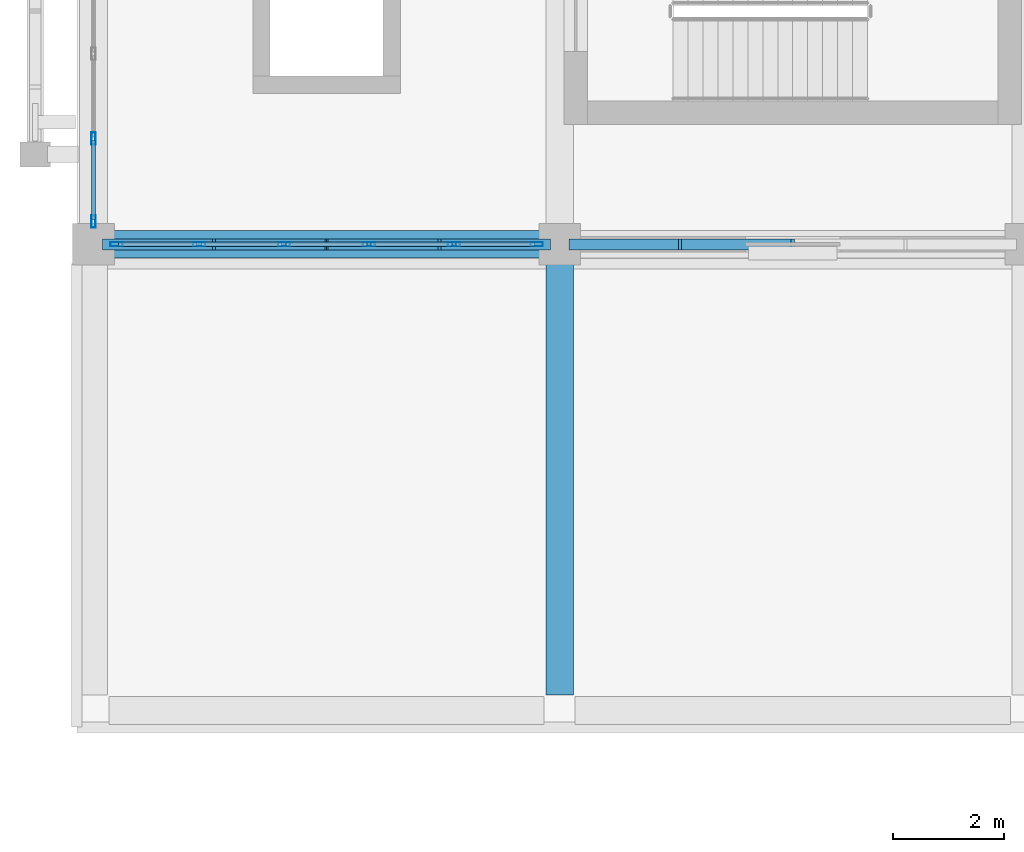
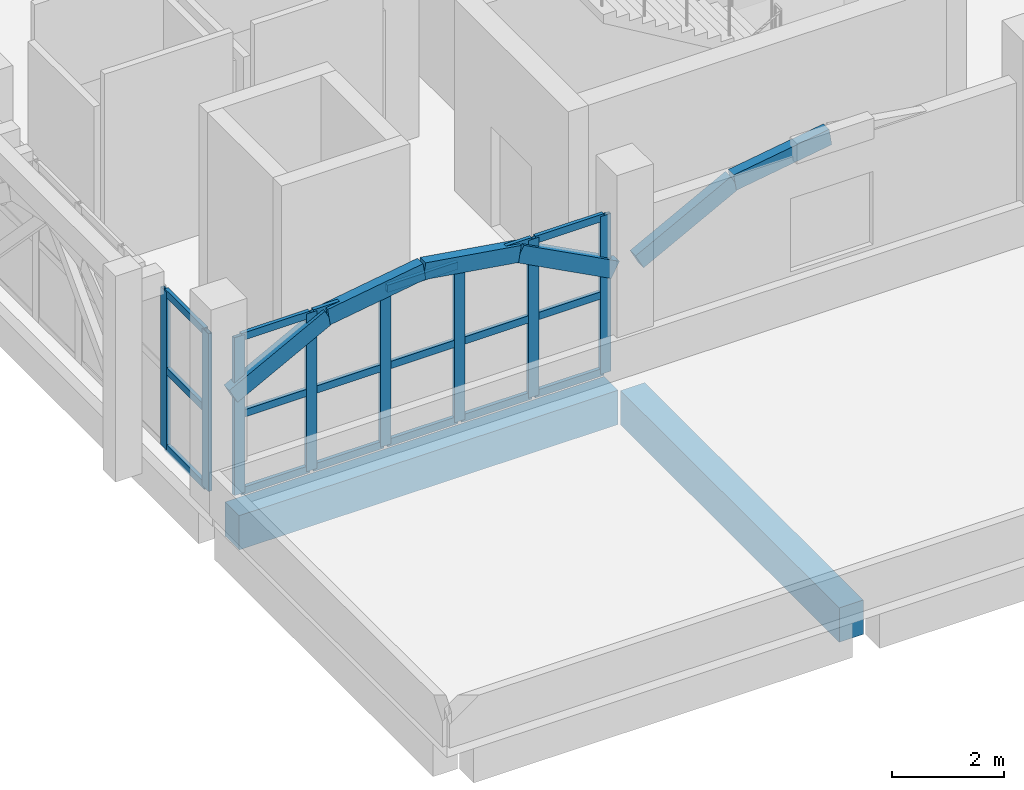
# One storey, part 2 of 30: 32 members, 2 beams, 2 elements without a shape of their own.
"""IFC4 building model written with IfcOpenShell, lengths in metres."""

from ifc_helpers import new_model, si_unit, direction, frame, origin, origin_2d, place, context, subcontext, project, spatial, rectangle, hollow_rectangle, extrude, material, layer, layer_set, material_profile, profile_set, type_object, element, aggregate, save


model = new_model("IFC4")

# Units and contexts
model_context = context("Model", 3, precision=1e-05, world=origin(), true_north=direction((0.0, 1.0)))
body_context = subcontext(model_context, "Body", "Model", "MODEL_VIEW")
ifc_project = project(units=[si_unit("LENGTHUNIT", "METRE"), si_unit("AREAUNIT", "SQUARE_METRE"), si_unit("VOLUMEUNIT", "CUBIC_METRE"), si_unit("PLANEANGLEUNIT", "RADIAN"), si_unit("MASSUNIT", "GRAM", prefix="KILO")], contexts=[model_context])

# Site, building, storey
site_placement = place(None, origin())
site = spatial("IfcSite", under=ifc_project, at=site_placement, CompositionType="ELEMENT")
building_placement = place(site_placement, origin())
building = spatial("IfcBuilding", under=site, at=building_placement, Name="Xazarin Passage Department Store", CompositionType="ELEMENT")
storey_placement = place(building_placement, frame((0.0, 0.0, 23.39990234375)))
storey = spatial("IfcBuildingStorey", under=building, at=storey_placement, Name="L05", CompositionType="ELEMENT", Elevation=23.39990234375)

# Curtain wall, members
ifc_material_1 = material(Name="Bronze anodised aluminium", Category="aluminium")
ifc_layer = layer(ifc_material_1, 0.199951171875)
ifc_layer_set = layer_set([ifc_layer], Name="Bronze anodised aluminium")
curtain_wall_type = type_object("IfcCurtainWallType", Name="ARC-CW-VIT2", PredefinedType="NOTDEFINED", material=ifc_layer_set)
curtain_wall_1_placement = place(storey_placement, origin())
curtain_wall_1 = element("IfcCurtainWall", 1, at=curtain_wall_1_placement, inside=storey, type_object=curtain_wall_type, Name="L05 V1 Curtain Wall 076", PredefinedType="NOTDEFINED")
ifc_material_profile_1 = material_profile(ifc_material_1, hollow_rectangle(XDim=0.074951171875, YDim=0.219970703125, WallThickness=0.0048828125, at=origin_2d()), Name="ALU 75x220")
ifc_profile_set_1 = profile_set([ifc_material_profile_1], Name="Bronze anodised aluminium")
member_type_1 = type_object("IfcMemberType", Name="ARC-CWM-75x220", PredefinedType="MULLION", material=ifc_profile_set_1)
member_1_placement = place(storey_placement, frame((0.41259765625, 76.39990234375, 0.0), z_axis=(0.0, 0.0, 1.0), x_axis=(0.0, 1.0, 0.0)))
member_1 = element("IfcMember", 2, at=member_1_placement, type_object=member_type_1, Name="CW2 mullion 1", PredefinedType="MULLION", context=body_context, shape_type="SweptSolid", body=[
    extrude(hollow_rectangle(XDim=0.074951171875, YDim=0.219970703125, WallThickness=0.0048828125, at=origin_2d()), origin(), (0.0, 0.0, 1.0), 3.4501953125),
])
member_2_placement = place(storey_placement, frame((1.905029296875, 76.39990234375, 0.0), z_axis=(0.0, 0.0, 1.0), x_axis=(0.0, 1.0, 0.0)))
member_2 = element("IfcMember", 3, at=member_2_placement, type_object=member_type_1, Name="CW2 mullion 2", PredefinedType="MULLION", context=body_context, shape_type="SweptSolid", body=[
    extrude(hollow_rectangle(XDim=0.074951171875, YDim=0.219970703125, WallThickness=0.0048828125, at=origin_2d()), origin(), (0.0, 0.0, 1.0), 3.4501953125),
])
member_3_placement = place(storey_placement, frame((3.43505859375, 76.39990234375, 0.0), z_axis=(0.0, 0.0, 1.0), x_axis=(0.0, 1.0, 0.0)))
member_3 = element("IfcMember", 4, at=member_3_placement, type_object=member_type_1, Name="CW2 mullion 3", PredefinedType="MULLION", context=body_context, shape_type="SweptSolid", body=[
    extrude(hollow_rectangle(XDim=0.074951171875, YDim=0.219970703125, WallThickness=0.0048828125, at=origin_2d()), origin(), (0.0, 0.0, 1.0), 3.4501953125),
])
member_4_placement = place(storey_placement, frame((4.965087890625, 76.39990234375, 0.0), z_axis=(0.0, 0.0, 1.0), x_axis=(0.0, 1.0, 0.0)))
member_4 = element("IfcMember", 5, at=member_4_placement, type_object=member_type_1, Name="CW2 mullion 4", PredefinedType="MULLION", context=body_context, shape_type="SweptSolid", body=[
    extrude(hollow_rectangle(XDim=0.074951171875, YDim=0.219970703125, WallThickness=0.0048828125, at=origin_2d()), origin(), (0.0, 0.0, 1.0), 3.4501953125),
])
member_5_placement = place(storey_placement, frame((6.4951171875, 76.39990234375, 0.0), z_axis=(0.0, 0.0, 1.0), x_axis=(0.0, 1.0, 0.0)))
member_5 = element("IfcMember", 6, at=member_5_placement, type_object=member_type_1, Name="CW2 mullion 5", PredefinedType="MULLION", context=body_context, shape_type="SweptSolid", body=[
    extrude(hollow_rectangle(XDim=0.074951171875, YDim=0.219970703125, WallThickness=0.0048828125, at=origin_2d()), origin(), (0.0, 0.0, 1.0), 3.4501953125),
])
member_6_placement = place(storey_placement, frame((7.987548828125, 76.39990234375, 0.0), z_axis=(0.0, 0.0, 1.0), x_axis=(0.0, 1.0, 0.0)))
member_6 = element("IfcMember", 7, at=member_6_placement, type_object=member_type_1, Name="CW2 mullion 6", PredefinedType="MULLION", context=body_context, shape_type="SweptSolid", body=[
    extrude(hollow_rectangle(XDim=0.074951171875, YDim=0.219970703125, WallThickness=0.0048828125, at=origin_2d()), origin(), (0.0, 0.0, 1.0), 3.4501953125),
])

curtain_wall_2_placement = place(storey_placement, origin())
curtain_wall_2 = element("IfcCurtainWall", 8, at=curtain_wall_2_placement, inside=storey, type_object=curtain_wall_type, Name="L05 V1 Curtain Wall 081", PredefinedType="NOTDEFINED")
member_7_placement = place(storey_placement, frame((0.0, 76.8125, 0.0), z_axis=(0.0, 0.0, 1.0), x_axis=(-1.0, 0.0, 0.0)))
member_7 = element("IfcMember", 9, at=member_7_placement, type_object=member_type_1, Name="CW2 mullion 1", PredefinedType="MULLION", context=body_context, shape_type="SweptSolid", body=[
    extrude(hollow_rectangle(XDim=0.074951171875, YDim=0.219970703125, WallThickness=0.0048828125, at=origin_2d()), origin(), (0.0, 0.0, 1.0), 3.4501953125),
])
member_8_placement = place(storey_placement, frame((0.0, 78.304931640625, 0.0), z_axis=(0.0, 0.0, 1.0), x_axis=(-1.0, 0.0, 0.0)))
member_8 = element("IfcMember", 10, at=member_8_placement, type_object=member_type_1, Name="CW2 mullion 2", PredefinedType="MULLION", context=body_context, shape_type="SweptSolid", body=[
    extrude(hollow_rectangle(XDim=0.074951171875, YDim=0.219970703125, WallThickness=0.0048828125, at=origin_2d()), origin(), (0.0, 0.0, 1.0), 3.4501953125),
])

# Member
ifc_material_profile_2 = material_profile(ifc_material_1, hollow_rectangle(XDim=0.074951171875, YDim=0.159912109375, WallThickness=0.00439453125, at=origin_2d()), Name="ALU 75x160")
ifc_profile_set_2 = profile_set([ifc_material_profile_2], Name="Bronze anodised aluminium")
member_type_2 = type_object("IfcMemberType", Name="ARC-CWT-75x160", PredefinedType="USERDEFINED", material=ifc_profile_set_2)
member_9_placement = place(storey_placement, frame((0.449951171875, 76.39990234375, 0.03759765625), z_axis=(1.0, 0.0, 0.0), x_axis=(0.0, 1.0, 0.0)))
member_9 = element("IfcMember", 11, at=member_9_placement, type_object=member_type_2, Name="CW2 transom 1.1", ObjectType="TRANSOM", PredefinedType="USERDEFINED", context=body_context, shape_type="SweptSolid", body=[
    extrude(hollow_rectangle(XDim=0.074951171875, YDim=0.159912109375, WallThickness=0.00439453125, at=origin_2d()), origin(), (0.0, 0.0, 1.0), 1.41748046875),
])

member_10_placement = place(storey_placement, frame((0.449951171875, 76.39990234375, 1.72509765625), z_axis=(1.0, 0.0, 0.0), x_axis=(0.0, 1.0, 0.0)))
member_10 = element("IfcMember", 12, at=member_10_placement, type_object=member_type_2, Name="CW2 transom 1.2", ObjectType="TRANSOM", PredefinedType="USERDEFINED", context=body_context, shape_type="SweptSolid", body=[
    extrude(hollow_rectangle(XDim=0.074951171875, YDim=0.159912109375, WallThickness=0.00439453125, at=origin_2d()), origin(), (0.0, 0.0, 1.0), 1.41748046875),
])

member_11_placement = place(storey_placement, frame((0.449951171875, 76.39990234375, 3.41259765625), z_axis=(1.0, 0.0, 0.0), x_axis=(0.0, 1.0, 0.0)))
member_11 = element("IfcMember", 13, at=member_11_placement, type_object=member_type_2, Name="CW2 transom 1.3", ObjectType="TRANSOM", PredefinedType="USERDEFINED", context=body_context, shape_type="SweptSolid", body=[
    extrude(hollow_rectangle(XDim=0.074951171875, YDim=0.159912109375, WallThickness=0.00439453125, at=origin_2d()), origin(), (0.0, 0.0, 1.0), 1.41748046875),
])

member_12_placement = place(storey_placement, frame((1.9423828125, 76.39990234375, 0.03759765625), z_axis=(1.0, 0.0, 0.0), x_axis=(0.0, 1.0, 0.0)))
member_12 = element("IfcMember", 14, at=member_12_placement, type_object=member_type_2, Name="CW2 transom 2.1", ObjectType="TRANSOM", PredefinedType="USERDEFINED", context=body_context, shape_type="SweptSolid", body=[
    extrude(hollow_rectangle(XDim=0.074951171875, YDim=0.159912109375, WallThickness=0.00439453125, at=origin_2d()), origin(), (0.0, 0.0, 1.0), 1.455078125),
])

member_13_placement = place(storey_placement, frame((1.9423828125, 76.39990234375, 1.72509765625), z_axis=(1.0, 0.0, 0.0), x_axis=(0.0, 1.0, 0.0)))
member_13 = element("IfcMember", 15, at=member_13_placement, type_object=member_type_2, Name="CW2 transom 2.2", ObjectType="TRANSOM", PredefinedType="USERDEFINED", context=body_context, shape_type="SweptSolid", body=[
    extrude(hollow_rectangle(XDim=0.074951171875, YDim=0.159912109375, WallThickness=0.00439453125, at=origin_2d()), origin(), (0.0, 0.0, 1.0), 1.455078125),
])

member_14_placement = place(storey_placement, frame((1.9423828125, 76.39990234375, 3.41259765625), z_axis=(1.0, 0.0, 0.0), x_axis=(0.0, 1.0, 0.0)))
member_14 = element("IfcMember", 16, at=member_14_placement, type_object=member_type_2, Name="CW2 transom 2.3", ObjectType="TRANSOM", PredefinedType="USERDEFINED", context=body_context, shape_type="SweptSolid", body=[
    extrude(hollow_rectangle(XDim=0.074951171875, YDim=0.159912109375, WallThickness=0.00439453125, at=origin_2d()), origin(), (0.0, 0.0, 1.0), 1.455078125),
])

member_15_placement = place(storey_placement, frame((3.472412109375, 76.39990234375, 0.03759765625), z_axis=(1.0, 0.0, 0.0), x_axis=(0.0, 1.0, 0.0)))
member_15 = element("IfcMember", 17, at=member_15_placement, type_object=member_type_2, Name="CW2 transom 3.1", ObjectType="TRANSOM", PredefinedType="USERDEFINED", context=body_context, shape_type="SweptSolid", body=[
    extrude(hollow_rectangle(XDim=0.074951171875, YDim=0.159912109375, WallThickness=0.00439453125, at=origin_2d()), origin(), (0.0, 0.0, 1.0), 1.455078125),
])

member_16_placement = place(storey_placement, frame((3.472412109375, 76.39990234375, 1.72509765625), z_axis=(1.0, 0.0, 0.0), x_axis=(0.0, 1.0, 0.0)))
member_16 = element("IfcMember", 18, at=member_16_placement, type_object=member_type_2, Name="CW2 transom 3.2", ObjectType="TRANSOM", PredefinedType="USERDEFINED", context=body_context, shape_type="SweptSolid", body=[
    extrude(hollow_rectangle(XDim=0.074951171875, YDim=0.159912109375, WallThickness=0.00439453125, at=origin_2d()), origin(), (0.0, 0.0, 1.0), 1.455078125),
])

member_17_placement = place(storey_placement, frame((3.472412109375, 76.39990234375, 3.41259765625), z_axis=(1.0, 0.0, 0.0), x_axis=(0.0, 1.0, 0.0)))
member_17 = element("IfcMember", 19, at=member_17_placement, type_object=member_type_2, Name="CW2 transom 3.3", ObjectType="TRANSOM", PredefinedType="USERDEFINED", context=body_context, shape_type="SweptSolid", body=[
    extrude(hollow_rectangle(XDim=0.074951171875, YDim=0.159912109375, WallThickness=0.00439453125, at=origin_2d()), origin(), (0.0, 0.0, 1.0), 1.455078125),
])

member_18_placement = place(storey_placement, frame((5.00244140625, 76.39990234375, 0.03759765625), z_axis=(1.0, 0.0, 0.0), x_axis=(0.0, 1.0, 0.0)))
member_18 = element("IfcMember", 20, at=member_18_placement, type_object=member_type_2, Name="CW2 transom 4.1", ObjectType="TRANSOM", PredefinedType="USERDEFINED", context=body_context, shape_type="SweptSolid", body=[
    extrude(hollow_rectangle(XDim=0.074951171875, YDim=0.159912109375, WallThickness=0.00439453125, at=origin_2d()), origin(), (0.0, 0.0, 1.0), 1.455078125),
])

member_19_placement = place(storey_placement, frame((5.00244140625, 76.39990234375, 1.72509765625), z_axis=(1.0, 0.0, 0.0), x_axis=(0.0, 1.0, 0.0)))
member_19 = element("IfcMember", 21, at=member_19_placement, type_object=member_type_2, Name="CW2 transom 4.2", ObjectType="TRANSOM", PredefinedType="USERDEFINED", context=body_context, shape_type="SweptSolid", body=[
    extrude(hollow_rectangle(XDim=0.074951171875, YDim=0.159912109375, WallThickness=0.00439453125, at=origin_2d()), origin(), (0.0, 0.0, 1.0), 1.455078125),
])

member_20_placement = place(storey_placement, frame((5.00244140625, 76.39990234375, 3.41259765625), z_axis=(1.0, 0.0, 0.0), x_axis=(0.0, 1.0, 0.0)))
member_20 = element("IfcMember", 22, at=member_20_placement, type_object=member_type_2, Name="CW2 transom 4.3", ObjectType="TRANSOM", PredefinedType="USERDEFINED", context=body_context, shape_type="SweptSolid", body=[
    extrude(hollow_rectangle(XDim=0.074951171875, YDim=0.159912109375, WallThickness=0.00439453125, at=origin_2d()), origin(), (0.0, 0.0, 1.0), 1.455078125),
])

member_21_placement = place(storey_placement, frame((6.532470703125, 76.39990234375, 0.03759765625), z_axis=(1.0, 0.0, 0.0), x_axis=(0.0, 1.0, 0.0)))
member_21 = element("IfcMember", 23, at=member_21_placement, type_object=member_type_2, Name="CW2 transom 5.1", ObjectType="TRANSOM", PredefinedType="USERDEFINED", context=body_context, shape_type="SweptSolid", body=[
    extrude(hollow_rectangle(XDim=0.074951171875, YDim=0.159912109375, WallThickness=0.00439453125, at=origin_2d()), origin(), (0.0, 0.0, 1.0), 1.41748046875),
])

member_22_placement = place(storey_placement, frame((6.532470703125, 76.39990234375, 1.72509765625), z_axis=(1.0, 0.0, 0.0), x_axis=(0.0, 1.0, 0.0)))
member_22 = element("IfcMember", 24, at=member_22_placement, type_object=member_type_2, Name="CW2 transom 5.2", ObjectType="TRANSOM", PredefinedType="USERDEFINED", context=body_context, shape_type="SweptSolid", body=[
    extrude(hollow_rectangle(XDim=0.074951171875, YDim=0.159912109375, WallThickness=0.00439453125, at=origin_2d()), origin(), (0.0, 0.0, 1.0), 1.41748046875),
])

member_23_placement = place(storey_placement, frame((6.532470703125, 76.39990234375, 3.41259765625), z_axis=(1.0, 0.0, 0.0), x_axis=(0.0, 1.0, 0.0)))
member_23 = element("IfcMember", 25, at=member_23_placement, type_object=member_type_2, Name="CW2 transom 5.3", ObjectType="TRANSOM", PredefinedType="USERDEFINED", context=body_context, shape_type="SweptSolid", body=[
    extrude(hollow_rectangle(XDim=0.074951171875, YDim=0.159912109375, WallThickness=0.00439453125, at=origin_2d()), origin(), (0.0, 0.0, 1.0), 1.41748046875),
])

aggregate(curtain_wall_1, [member_1, member_2, member_3, member_4, member_5, member_6, member_9, member_10, member_11, member_12, member_13, member_14, member_15, member_16, member_17, member_18, member_19, member_20, member_21, member_22, member_23])

member_24_placement = place(storey_placement, frame((0.0, 76.85009765625, 0.03759765625), z_axis=(0.0, 1.0, 0.0), x_axis=(-1.0, 0.0, 0.0)))
member_24 = element("IfcMember", 26, at=member_24_placement, type_object=member_type_2, Name="CW2 transom 1.1", ObjectType="TRANSOM", PredefinedType="USERDEFINED", context=body_context, shape_type="SweptSolid", body=[
    extrude(hollow_rectangle(XDim=0.074951171875, YDim=0.159912109375, WallThickness=0.00439453125, at=origin_2d()), origin(), (0.0, 0.0, 1.0), 1.41748046875),
])

member_25_placement = place(storey_placement, frame((0.0, 76.85009765625, 1.72509765625), z_axis=(0.0, 1.0, 0.0), x_axis=(-1.0, 0.0, 0.0)))
member_25 = element("IfcMember", 27, at=member_25_placement, type_object=member_type_2, Name="CW2 transom 1.2", ObjectType="TRANSOM", PredefinedType="USERDEFINED", context=body_context, shape_type="SweptSolid", body=[
    extrude(hollow_rectangle(XDim=0.074951171875, YDim=0.159912109375, WallThickness=0.00439453125, at=origin_2d()), origin(), (0.0, 0.0, 1.0), 1.41748046875),
])

member_26_placement = place(storey_placement, frame((0.0, 76.85009765625, 3.41259765625), z_axis=(0.0, 1.0, 0.0), x_axis=(-1.0, 0.0, 0.0)))
member_26 = element("IfcMember", 28, at=member_26_placement, type_object=member_type_2, Name="CW2 transom 1.3", ObjectType="TRANSOM", PredefinedType="USERDEFINED", context=body_context, shape_type="SweptSolid", body=[
    extrude(hollow_rectangle(XDim=0.074951171875, YDim=0.159912109375, WallThickness=0.00439453125, at=origin_2d()), origin(), (0.0, 0.0, 1.0), 1.41748046875),
])

aggregate(curtain_wall_2, [member_7, member_8, member_24, member_25, member_26])

# Beams
ifc_material_2 = material(Name="Concrete C35/45", Category="concrete")
ifc_material_profile_3 = material_profile(ifc_material_2, rectangle(XDim=0.5, YDim=0.75, at=origin_2d()), Name="RC 500x750")
ifc_profile_set_3 = profile_set([ifc_material_profile_3], Name="Concrete C35/45")
beam_type = type_object("IfcBeamType", Name="STR-BM-SP500x750", PredefinedType="SPANDREL", material=ifc_profile_set_3)
for number, where, z_axis, x_axis, name in (
    (29, (0.280029296875, 76.39990234375, -0.6748046875), (1.0, 0.0, 0.0), (0.0, 1.0, 0.0), "L05 Grid Beam L/1-2"),
    (30, (8.39990234375, 68.280029296875, -0.6748046875), (0.0, 1.0, 0.0), (-1.0, 0.0, 0.0), "L05 Grid Beam 2/K-L"),
):
    element("IfcBeam", number, at=place(storey_placement, frame(where, z_axis=z_axis, x_axis=x_axis)), inside=storey, type_object=beam_type, Name=name, PredefinedType="SPANDREL", context=body_context, shape_type="SweptSolid", body=[
        extrude(rectangle(XDim=0.5, YDim=0.75, at=origin_2d()), origin(), (0.0, 0.0, 1.0), 7.840087890625),
    ])

# Members
ifc_material_3 = material(Name="Concrete C40/50", Category="concrete")
ifc_material_profile_4 = material_profile(ifc_material_3, rectangle(XDim=0.199951171875, YDim=0.360107421875, at=origin_2d()), Name="RC 200x360")
ifc_profile_set_4 = profile_set([ifc_material_profile_4], Name="Concrete C40/50")
member_type_3 = type_object("IfcMemberType", Name="STR-MEM-ARC360", PredefinedType="CHORD", material=ifc_profile_set_4)
member_27_placement = place(storey_placement, frame((0.25, 76.39990234375, 2.22998046875), z_axis=(0.88473311603, 0.0, 0.466097965454), x_axis=(0.0, 1.0, 0.0)))
element("IfcMember", 31, at=member_27_placement, inside=storey, type_object=member_type_3, Name="L05 V1 Upper Setback Pierced Arch 028.1", PredefinedType="CHORD", context=body_context, shape_type="SweptSolid", body=[
    extrude(rectangle(XDim=0.199951171875, YDim=0.360107421875, at=origin_2d()), origin(), (0.0, 0.0, 1.0), 2.232421875),
])
member_28_placement = place(storey_placement, frame((2.22509765625, 76.39990234375, 3.2705078125), z_axis=(0.987935652704, 0.0, 0.154864928623), x_axis=(0.0, 1.0, 0.0)))
element("IfcMember", 32, at=member_28_placement, inside=storey, type_object=member_type_3, Name="L05 V1 Upper Setback Pierced Arch 028.2", PredefinedType="CHORD", context=body_context, shape_type="SweptSolid", body=[
    extrude(rectangle(XDim=0.199951171875, YDim=0.360107421875, at=origin_2d()), origin(), (0.0, 0.0, 1.0), 1.9990234375),
])
member_29_placement = place(storey_placement, frame((4.199951171875, 76.39990234375, 3.580078125), z_axis=(0.987938581312, 0.0, -0.154846244883), x_axis=(0.0, 1.0, 0.0)))
element("IfcMember", 33, at=member_29_placement, inside=storey, type_object=member_type_3, Name="L05 V1 Upper Setback Pierced Arch 028.3", PredefinedType="CHORD", context=body_context, shape_type="SweptSolid", body=[
    extrude(rectangle(XDim=0.199951171875, YDim=0.360107421875, at=origin_2d()), origin(), (0.0, 0.0, 1.0), 1.999267578125),
])
member_30_placement = place(storey_placement, frame((6.175048828125, 76.39990234375, 3.2705078125), z_axis=(0.884709354127, 0.0, -0.466143066793), x_axis=(0.0, 1.0, 0.0)))
element("IfcMember", 34, at=member_30_placement, inside=storey, type_object=member_type_3, Name="L05 V1 Upper Setback Pierced Arch 028.4", PredefinedType="CHORD", context=body_context, shape_type="SweptSolid", body=[
    extrude(rectangle(XDim=0.199951171875, YDim=0.360107421875, at=origin_2d()), origin(), (0.0, 0.0, 1.0), 2.232177734375),
])
member_31_placement = place(storey_placement, frame((8.64990234375, 76.39990234375, 2.22998046875), z_axis=(0.88473311603, 0.0, 0.466097965454), x_axis=(0.0, 1.0, 0.0)))
element("IfcMember", 35, at=member_31_placement, inside=storey, type_object=member_type_3, Name="L05 V1 Upper Setback Pierced Arch 029.1", PredefinedType="CHORD", context=body_context, shape_type="SweptSolid", body=[
    extrude(rectangle(XDim=0.199951171875, YDim=0.360107421875, at=origin_2d()), origin(), (0.0, 0.0, 1.0), 2.232421875),
])
member_32_placement = place(storey_placement, frame((10.625, 76.39990234375, 3.2705078125), z_axis=(0.987938581312, 0.0, 0.154846244883), x_axis=(0.0, 1.0, 0.0)))
element("IfcMember", 36, at=member_32_placement, inside=storey, type_object=member_type_3, Name="L05 V1 Upper Setback Pierced Arch 029.2", PredefinedType="CHORD", context=body_context, shape_type="SweptSolid", body=[
    extrude(rectangle(XDim=0.199951171875, YDim=0.360107421875, at=origin_2d()), origin(), (0.0, 0.0, 1.0), 1.999267578125),
])

save(model, "model.ifc")
